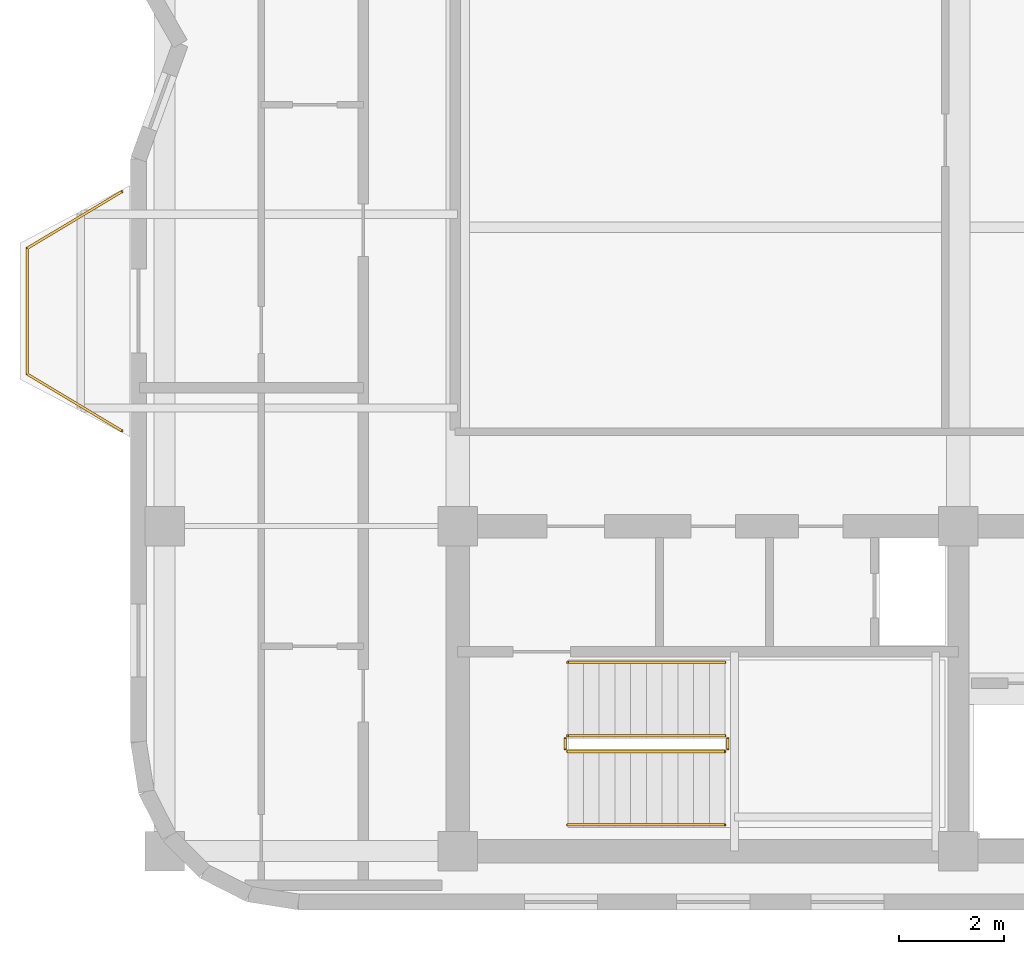
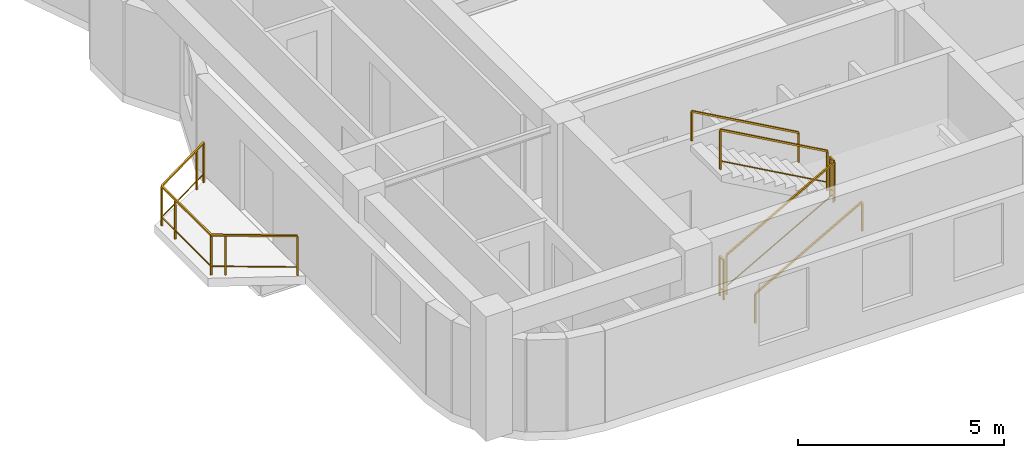
# One storey, part 8 of 9: 7 railings.
"""IFC4 building model written with IfcOpenShell, lengths in metres."""

from ifc_helpers import new_model, si_unit, direction, frame, origin, origin_2d, place, context, subcontext, project, spatial, rectangle, extrude, material, type_object, element, save


model = new_model("IFC4")

# Units and contexts
model_context = context("Model", 3, precision=1e-05, world=origin(), true_north=direction((0.0, 1.0)))
body_context = subcontext(model_context, "Body", "Model", "MODEL_VIEW")
ifc_project = project(units=[si_unit("LENGTHUNIT", "METRE"), si_unit("AREAUNIT", "SQUARE_METRE"), si_unit("VOLUMEUNIT", "CUBIC_METRE"), si_unit("PLANEANGLEUNIT", "RADIAN"), si_unit("MASSUNIT", "GRAM", prefix="KILO")], contexts=[model_context])

# Site, building, storey
site_placement = place(None, origin())
site = spatial("IfcSite", under=ifc_project, at=site_placement, CompositionType="ELEMENT")
building_placement = place(site_placement, origin())
building = spatial("IfcBuilding", under=site, at=building_placement, Name="Svetorya Sky Lyceum", CompositionType="ELEMENT")
storey_placement = place(building_placement, frame((0.0, 0.0, 267.60009765625)))
storey = spatial("IfcBuildingStorey", under=building, at=storey_placement, Name="L67", CompositionType="ELEMENT", Elevation=267.60009765625)

# Railings
ifc_material_1 = material(Name="Laminated safety glass and stainless AISI 316", Category="glass")
railing_type_1 = type_object("IfcRailingType", Name="RL-BAL-1200", PredefinedType="BALUSTRADE", material=ifc_material_1)
railing_1_placement = place(storey_placement, frame((19.18994140625, 18.6201171875, 0.0)))
element("IfcRailing", 1, at=railing_1_placement, inside=storey, type_object=railing_type_1, Name="L67 Balcony Balustrade BAL-W1", PredefinedType="BALUSTRADE", context=body_context, shape_type="SweptSolid", body=[
    extrude(rectangle(XDim=0.048095703125, YDim=0.048095703125, at=origin_2d()), frame((0.0, 0.0, 1.17578125), z_axis=(-0.85753397263, 0.514427337711, 0.0), x_axis=(-0.514427337711, -0.85753397263, 0.0)), (0.0, 0.0, 1.0), 2.09912109375),
    extrude(rectangle(XDim=0.02392578125, YDim=0.02392578125, at=origin_2d()), frame((0.0, 0.0, 0.25), z_axis=(-0.85753397263, 0.514427337711, 0.0), x_axis=(-0.514427337711, -0.85753397263, 0.0)), (0.0, 0.0, 1.0), 2.09912109375),
    extrude(rectangle(XDim=0.048095703125, YDim=0.048095703125, at=origin_2d()), frame((-1.800048828125, 1.079833984375, 1.17578125), z_axis=(0.0, 1.0, 0.0), x_axis=(-1.0, 0.0, 0.0)), (0.0, 0.0, 1.0), 2.400146484375),
    extrude(rectangle(XDim=0.02392578125, YDim=0.02392578125, at=origin_2d()), frame((-1.800048828125, 1.079833984375, 0.25), z_axis=(0.0, 1.0, 0.0), x_axis=(-1.0, 0.0, 0.0)), (0.0, 0.0, 1.0), 2.400146484375),
    extrude(rectangle(XDim=0.048095703125, YDim=0.048095703125, at=origin_2d()), frame((-1.800048828125, 3.47998046875, 1.17578125), z_axis=(0.85753397263, 0.514427337711, 0.0), x_axis=(-0.514427337711, 0.85753397263, 0.0)), (0.0, 0.0, 1.0), 2.09912109375),
    extrude(rectangle(XDim=0.02392578125, YDim=0.02392578125, at=origin_2d()), frame((-1.800048828125, 3.47998046875, 0.25), z_axis=(0.85753397263, 0.514427337711, 0.0), x_axis=(-0.514427337711, 0.85753397263, 0.0)), (0.0, 0.0, 1.0), 2.09912109375),
    extrude(rectangle(XDim=0.0419921875, YDim=0.0419921875, at=origin_2d()), origin(), (0.0, 0.0, 1.0), 1.15185546875),
    extrude(rectangle(XDim=0.0419921875, YDim=0.0419921875, at=origin_2d()), frame((-1.500732421875, 0.900146484375, 0.0)), (0.0, 0.0, 1.0), 1.15185546875),
    extrude(rectangle(XDim=0.0419921875, YDim=0.0419921875, at=origin_2d()), frame((-1.800048828125, 1.079833984375, 0.0)), (0.0, 0.0, 1.0), 1.15185546875),
    extrude(rectangle(XDim=0.0419921875, YDim=0.0419921875, at=origin_2d()), frame((-1.800048828125, 2.829833984375, 0.0)), (0.0, 0.0, 1.0), 1.15185546875),
    extrude(rectangle(XDim=0.0419921875, YDim=0.0419921875, at=origin_2d()), frame((-1.800048828125, 3.47998046875, 0.0)), (0.0, 0.0, 1.0), 1.15185546875),
    extrude(rectangle(XDim=0.0419921875, YDim=0.0419921875, at=origin_2d()), frame((-0.29931640625, 4.380126953125, 0.0)), (0.0, 0.0, 1.0), 1.15185546875),
    extrude(rectangle(XDim=0.0419921875, YDim=0.0419921875, at=origin_2d()), frame((0.0, 4.559814453125, 0.0)), (0.0, 0.0, 1.0), 1.15185546875),
])
ifc_material_2 = material(Name="Painted galvanized stair well guard")
railing_type_2 = type_object("IfcRailingType", Name="RL-STR-GUARD-1200", PredefinedType="GUARDRAIL", material=ifc_material_2)
railing_2_placement = place(storey_placement, frame((27.699951171875, 12.5, 0.16796875)))
element("IfcRailing", 2, at=railing_2_placement, inside=storey, type_object=railing_type_2, Name="L67 ST-S stair guard 1", PredefinedType="GUARDRAIL", context=body_context, shape_type="SweptSolid", body=[
    extrude(rectangle(XDim=0.048095703125, YDim=0.048095703125, at=origin_2d()), frame((0.0, 0.0, 1.17578125), z_axis=(0.872272294576, 0.0, 0.489020494575), x_axis=(0.0, 1.0, 0.0)), (0.0, 0.0, 1.0), 3.439208984375),
    extrude(rectangle(XDim=0.02392578125, YDim=0.02392578125, at=origin_2d()), frame((0.0, 0.0, 0.25), z_axis=(0.872272294576, 0.0, 0.489020494575), x_axis=(0.0, 1.0, 0.0)), (0.0, 0.0, 1.0), 3.439208984375),
    extrude(rectangle(XDim=0.0419921875, YDim=0.0419921875, at=origin_2d()), origin(), (0.0, 0.0, 1.0), 1.15185546875),
    extrude(rectangle(XDim=0.0419921875, YDim=0.0419921875, at=origin_2d()), frame((3.0, 0.0, 1.681884765625)), (0.0, 0.0, 1.0), 1.15185546875),
])
railing_3_placement = place(storey_placement, frame((30.75, 12.550048828125, 1.849853515625)))
element("IfcRailing", 3, at=railing_3_placement, inside=storey, type_object=railing_type_2, Name="L67 ST-S stair guard 2", PredefinedType="GUARDRAIL", context=body_context, shape_type="SweptSolid", body=[
    extrude(rectangle(XDim=0.048095703125, YDim=0.048095703125, at=origin_2d()), frame((0.0, 0.0, 1.17578125), z_axis=(0.0, 1.0, 0.0), x_axis=(-1.0, 0.0, 0.0)), (0.0, 0.0, 1.0), 0.199951171875),
    extrude(rectangle(XDim=0.02392578125, YDim=0.02392578125, at=origin_2d()), frame((0.0, 0.0, 0.25), z_axis=(0.0, 1.0, 0.0), x_axis=(-1.0, 0.0, 0.0)), (0.0, 0.0, 1.0), 0.199951171875),
    extrude(rectangle(XDim=0.0419921875, YDim=0.0419921875, at=origin_2d()), origin(), (0.0, 0.0, 1.0), 1.15185546875),
    extrude(rectangle(XDim=0.0419921875, YDim=0.0419921875, at=origin_2d()), frame((0.0, 0.199951171875, 0.0)), (0.0, 0.0, 1.0), 1.15185546875),
])
railing_4_placement = place(storey_placement, frame((30.699951171875, 12.800048828125, 2.01806640625)))
element("IfcRailing", 4, at=railing_4_placement, inside=storey, type_object=railing_type_2, Name="L67 ST-S stair guard 3", PredefinedType="GUARDRAIL", context=body_context, shape_type="SweptSolid", body=[
    extrude(rectangle(XDim=0.048095703125, YDim=0.048095703125, at=origin_2d()), frame((0.0, 0.0, 1.17578125), z_axis=(-0.872272294576, 0.0, 0.489020494575), x_axis=(0.0, -1.0, 0.0)), (0.0, 0.0, 1.0), 3.439208984375),
    extrude(rectangle(XDim=0.02392578125, YDim=0.02392578125, at=origin_2d()), frame((0.0, 0.0, 0.25), z_axis=(-0.872272294576, 0.0, 0.489020494575), x_axis=(0.0, -1.0, 0.0)), (0.0, 0.0, 1.0), 3.439208984375),
    extrude(rectangle(XDim=0.0419921875, YDim=0.0419921875, at=origin_2d()), origin(), (0.0, 0.0, 1.0), 1.15185546875),
    extrude(rectangle(XDim=0.0419921875, YDim=0.0419921875, at=origin_2d()), frame((-3.0, 0.0, 1.681884765625)), (0.0, 0.0, 1.0), 1.15185546875),
])
railing_5_placement = place(storey_placement, frame((27.64990234375, 12.550048828125, 0.0)))
element("IfcRailing", 5, at=railing_5_placement, inside=storey, type_object=railing_type_2, Name="L67 ST-S stair guard 4", PredefinedType="GUARDRAIL", context=body_context, shape_type="SweptSolid", body=[
    extrude(rectangle(XDim=0.048095703125, YDim=0.048095703125, at=origin_2d()), frame((0.0, 0.0, 1.17578125), z_axis=(0.0, 1.0, 0.0), x_axis=(-1.0, 0.0, 0.0)), (0.0, 0.0, 1.0), 0.199951171875),
    extrude(rectangle(XDim=0.02392578125, YDim=0.02392578125, at=origin_2d()), frame((0.0, 0.0, 0.25), z_axis=(0.0, 1.0, 0.0), x_axis=(-1.0, 0.0, 0.0)), (0.0, 0.0, 1.0), 0.199951171875),
    extrude(rectangle(XDim=0.0419921875, YDim=0.0419921875, at=origin_2d()), origin(), (0.0, 0.0, 1.0), 1.15185546875),
    extrude(rectangle(XDim=0.0419921875, YDim=0.0419921875, at=origin_2d()), frame((0.0, 0.199951171875, 0.0)), (0.0, 0.0, 1.0), 1.15185546875),
])
ifc_material_3 = material(Name="Brushed stainless AISI 304 stair handrail")
railing_type_3 = type_object("IfcRailingType", Name="RL-STR-HAND-920", PredefinedType="HANDRAIL", material=ifc_material_3)
railing_6_placement = place(storey_placement, frame((27.699951171875, 11.10009765625, 0.16796875)))
element("IfcRailing", 6, at=railing_6_placement, inside=storey, type_object=railing_type_3, Name="L67 ST-S stair handrail 1", PredefinedType="HANDRAIL", context=body_context, shape_type="SweptSolid", body=[
    extrude(rectangle(XDim=0.048095703125, YDim=0.048095703125, at=origin_2d()), frame((0.0, 0.0, 0.8759765625), z_axis=(0.872272294576, 0.0, 0.489020494575), x_axis=(0.0, 1.0, 0.0)), (0.0, 0.0, 1.0), 3.439208984375),
    extrude(rectangle(XDim=0.0419921875, YDim=0.0419921875, at=origin_2d()), origin(), (0.0, 0.0, 1.0), 0.851806640625),
    extrude(rectangle(XDim=0.0419921875, YDim=0.0419921875, at=origin_2d()), frame((3.0, 0.0, 1.681884765625)), (0.0, 0.0, 1.0), 0.851806640625),
])
railing_7_placement = place(storey_placement, frame((30.699951171875, 14.199951171875, 2.01806640625)))
element("IfcRailing", 7, at=railing_7_placement, inside=storey, type_object=railing_type_3, Name="L67 ST-S stair handrail 2", PredefinedType="HANDRAIL", context=body_context, shape_type="SweptSolid", body=[
    extrude(rectangle(XDim=0.048095703125, YDim=0.048095703125, at=origin_2d()), frame((0.0, 0.0, 0.8759765625), z_axis=(-0.872272294576, 0.0, 0.489020494575), x_axis=(0.0, -1.0, 0.0)), (0.0, 0.0, 1.0), 3.439208984375),
    extrude(rectangle(XDim=0.0419921875, YDim=0.0419921875, at=origin_2d()), origin(), (0.0, 0.0, 1.0), 0.851806640625),
    extrude(rectangle(XDim=0.0419921875, YDim=0.0419921875, at=origin_2d()), frame((-3.0, 0.0, 1.681884765625)), (0.0, 0.0, 1.0), 0.851806640625),
])

save(model, "model.ifc")
